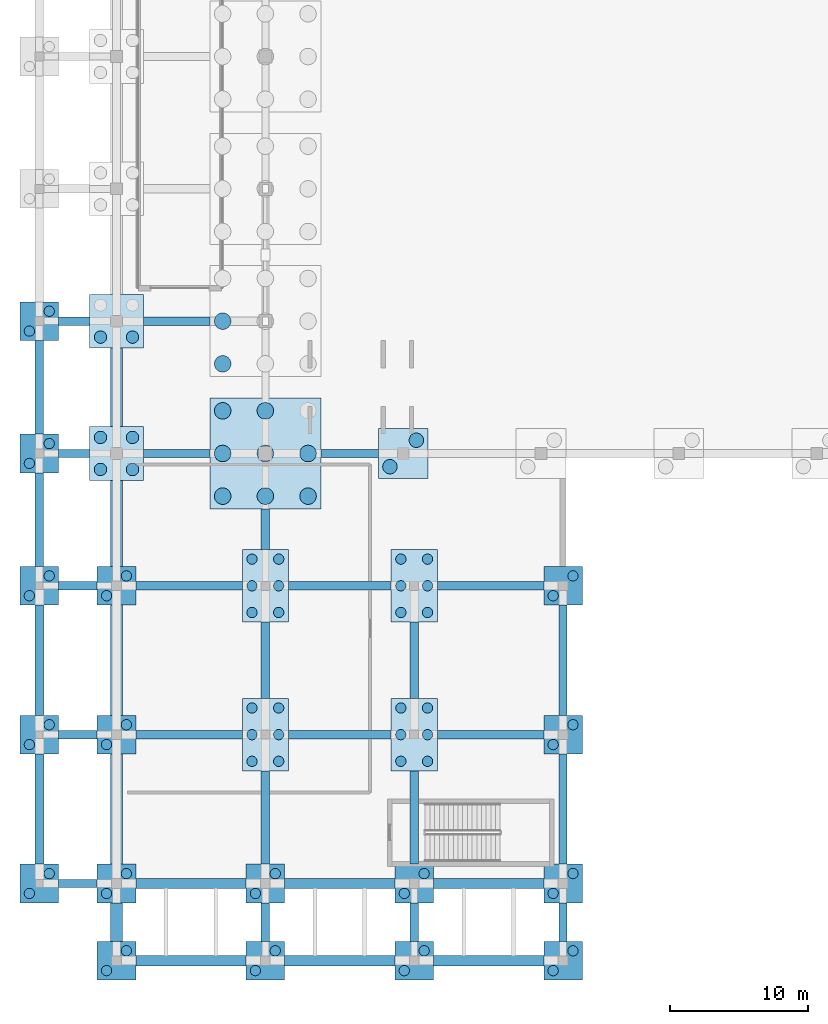
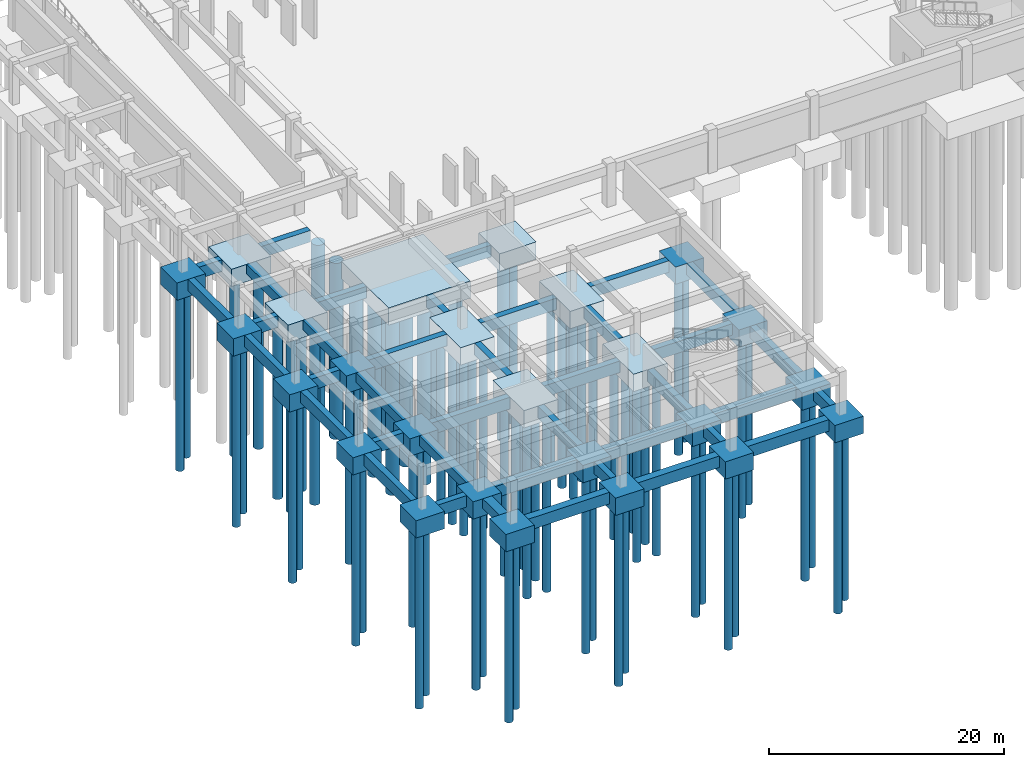
# One storey, part 1 of 33: 76 piles, 64 footings.
"""IFC4 building model written with IfcOpenShell, lengths in metres."""

import ifcopenshell
import ifcopenshell.guid

model = None  # the IFC model being written
_history = None  # IfcOwnerHistory: only IFC2X3 demands one
_inside = {}  # id of a spatial element -> (the spatial element, [elements in it])
_under = {}  # id of a project, library or spatial element -> (it, [spatial elements below it])
_declared = {}  # id of a project -> (the project, [libraries it declares])
_typed = {}  # id of a type object -> (the type object, [elements of that type])
_made_of = {}  # id of a material, layer set ... -> (it, [elements and type objects made of it])


def new_model(schema):
    """Start an empty IFC model of exactly this schema.

    Asked for "IFC4X3", IfcOpenShell would pick the latest addendum, in which some entities
    have other attributes; the version numbers below select the first issue.
    IFC2X3 requires an IfcOwnerHistory on every rooted entity: one is made here for all.
    """
    global model, _history
    if schema == "IFC4X3":
        model = ifcopenshell.file(schema_version=(4, 3, 0, 0))
    else:
        model = ifcopenshell.file(schema=schema)
    _inside.clear()
    _under.clear()
    _declared.clear()
    _typed.clear()
    _made_of.clear()
    _history = None
    if model.schema == "IFC2X3":
        org = make("IfcOrganization", Name="unknown")
        user = make(
            "IfcPersonAndOrganization",
            ThePerson=make("IfcPerson", FamilyName="unknown"),
            TheOrganization=org,
        )
        app = make(
            "IfcApplication",
            ApplicationDeveloper=org,
            Version="unknown",
            ApplicationFullName="unknown",
            ApplicationIdentifier="unknown",
        )
        _history = make(
            "IfcOwnerHistory",
            OwningUser=user,
            OwningApplication=app,
            ChangeAction="ADDED",
            CreationDate=0,
        )
    return model


def make(cls, **values):
    """One entity of the class cls with the attributes given. An attribute that is None is left unset."""
    return model.create_entity(
        cls, **{name: value for name, value in values.items() if value is not None}
    )


def rooted(cls, **values):
    """An entity with a GlobalId (a new one), such as an element, a storey or a relation."""
    return make(cls, GlobalId=ifcopenshell.guid.new(), OwnerHistory=_history, **values)


def si_unit(unit_type, name, prefix=None):
    """IfcSIUnit, for example si_unit("LENGTHUNIT", "METRE", prefix="MILLI")."""
    return make("IfcSIUnit", UnitType=unit_type, Prefix=prefix, Name=name)


def assignment(units):
    """IfcUnitAssignment: the units of a project."""
    return None if units is None else make("IfcUnitAssignment", Units=units)


def point(xyz):
    """IfcCartesianPoint."""
    return None if xyz is None else make("IfcCartesianPoint", Coordinates=xyz)


def direction(xyz):
    """IfcDirection."""
    return None if xyz is None else make("IfcDirection", DirectionRatios=xyz)


def frame(location, z_axis=None, x_axis=None):
    """IfcAxis2Placement3D, a coordinate frame: its origin and axes. An axis left out is left unset."""
    return make(
        "IfcAxis2Placement3D",
        Location=point(location),
        Axis=direction(z_axis),
        RefDirection=direction(x_axis),
    )


def frame_2d(location, x_axis=None):
    """IfcAxis2Placement2D, a coordinate frame in the plane: its origin and x axis."""
    return make(
        "IfcAxis2Placement2D", Location=point(location), RefDirection=direction(x_axis)
    )


def origin():
    """The frame at (0, 0, 0) with its axes left unset."""
    return frame((0.0, 0.0, 0.0))


def origin_2d():
    """The frame at (0, 0) in the plane with its x axis left unset."""
    return frame_2d((0.0, 0.0))


def place(relative_to, where):
    """IfcLocalPlacement: puts the frame where relative to a parent placement (None: the world)."""
    return make(
        "IfcLocalPlacement", PlacementRelTo=relative_to, RelativePlacement=where
    )


def context(
    kind, dimensions, precision=None, world=None, true_north=None, identifier=None
):
    """IfcGeometricRepresentationContext, for example the 3D "Model" context."""
    return make(
        "IfcGeometricRepresentationContext",
        ContextIdentifier=identifier,
        ContextType=kind,
        CoordinateSpaceDimension=dimensions,
        Precision=precision,
        WorldCoordinateSystem=world,
        TrueNorth=true_north,
    )


def subcontext(parent, identifier, kind, view, scale=None):
    """IfcGeometricRepresentationSubContext, for example "Body" below "Model"."""
    return make(
        "IfcGeometricRepresentationSubContext",
        ContextIdentifier=identifier,
        ContextType=kind,
        ParentContext=parent,
        TargetScale=scale,
        TargetView=view,
    )


def project(units=None, contexts=None):
    """IfcProject with its units and contexts."""
    return rooted(
        "IfcProject",
        Name="project",
        RepresentationContexts=contexts,
        UnitsInContext=assignment(units),
    )


def spatial(cls, under=None, at=None, **own):
    """A site, building, storey or space (cls), placed at a placement, below another one or the project."""
    s = rooted(cls, ObjectPlacement=at, **own)
    if under is not None:
        _under.setdefault(under.id(), (under, []))[1].append(s)
    return s


def profile(cls, at=None, kind="AREA", **sizes):
    """A parametric profile (cls). Its sizes go by their IFC names, for example OverallWidth=200.0."""
    return make(cls, ProfileType=kind, Position=at, **sizes)


def rectangle(**sizes):
    """IfcRectangleProfileDef."""
    return profile("IfcRectangleProfileDef", **sizes)


def circle(**sizes):
    """IfcCircleProfileDef."""
    return profile("IfcCircleProfileDef", **sizes)


def extrude(swept, where, along, depth):
    """IfcExtrudedAreaSolid: the profile swept, set in the frame where, extruded along a direction by depth."""
    return make(
        "IfcExtrudedAreaSolid",
        SweptArea=swept,
        Position=where,
        ExtrudedDirection=direction(along),
        Depth=depth,
    )


def shape(context_of_items, identifier, shape_type, items):
    """IfcShapeRepresentation: the items that make up one representation, for example the "Body"."""
    return make(
        "IfcShapeRepresentation",
        ContextOfItems=context_of_items,
        RepresentationIdentifier=identifier,
        RepresentationType=shape_type,
        Items=items,
    )


def material(Name=None, Category=None):
    """IfcMaterial."""
    return make("IfcMaterial", Name=Name, Category=Category)


def material_profile(
    of_material, cross_section, Name=None, Category=None, Priority=None
):
    """IfcMaterialProfile: a cross section and its material."""
    return make(
        "IfcMaterialProfile",
        Name=Name,
        Material=of_material,
        Profile=cross_section,
        Priority=Priority,
        Category=Category,
    )


def profile_set(profiles, Name=None, composite=None):
    """IfcMaterialProfileSet."""
    return make(
        "IfcMaterialProfileSet",
        Name=Name,
        MaterialProfiles=profiles,
        CompositeProfile=composite,
    )


def made_of(thing, what):
    """Note that an element or type object is made of a material, layer set ...; save() writes the relation."""
    if what is not None:
        _made_of.setdefault(what.id(), (what, []))[1].append(thing)
    return thing


def type_object(cls, material=None, **own):
    """A type object (cls), such as IfcWallType, which elements share."""
    return made_of(rooted(cls, **own), material)


def element(
    cls,
    number,
    at=None,
    inside=None,
    cuts=None,
    type_object=None,
    material=None,
    context=None,
    identifier="Body",
    shape_type=None,
    held_by="IfcProductDefinitionShape",
    body=None,
    shapes=None,
    **own,
):
    """One element of the class cls, such as IfcWall. Its Tag is "e" and its number.

    at: its placement. inside: the storey or other place that contains it. cuts: it is an
    opening in that element (IfcRelVoidsElement). A single representation is given by context,
    identifier, shape_type and body (its items); several are given by shapes. held_by: the class
    of the entity that holds the representations. save() writes the other relations.
    """
    e = rooted(cls, Tag="e%d" % number, ObjectPlacement=at, **own)
    if body is not None:
        shapes = [shape(context, identifier, shape_type, body)]
    if shapes is not None:
        e.Representation = make(held_by, Representations=shapes)
    if inside is not None:
        _inside.setdefault(inside.id(), (inside, []))[1].append(e)
    if cuts is not None:
        rooted(
            "IfcRelVoidsElement", RelatingBuildingElement=cuts, RelatedOpeningElement=e
        )
    if type_object is not None:
        _typed.setdefault(type_object.id(), (type_object, []))[1].append(e)
    return made_of(e, material)


def aggregate(whole, parts):
    """IfcRelAggregates: a whole, such as a stair, and the parts it consists of."""
    return rooted("IfcRelAggregates", RelatingObject=whole, RelatedObjects=parts)


def save(model, path):
    """Write the relations noted so far, then the file.

    IfcRelAggregates (storeys below a building ...), IfcRelContainedInSpatialStructure (elements
    in a storey), IfcRelDefinesByType, IfcRelAssociatesMaterial and IfcRelDeclares: one each for
    every whole, place, type object, material and project.
    """
    for whole, parts in _under.values():
        aggregate(whole, parts)
    for where, things in _inside.values():
        rooted(
            "IfcRelContainedInSpatialStructure",
            RelatedElements=things,
            RelatingStructure=where,
        )
    for kind, things in _typed.values():
        rooted("IfcRelDefinesByType", RelatedObjects=things, RelatingType=kind)
    for what, things in _made_of.values():
        rooted("IfcRelAssociatesMaterial", RelatedObjects=things, RelatingMaterial=what)
    for by, libraries in _declared.values():
        rooted("IfcRelDeclares", RelatingContext=by, RelatedDefinitions=libraries)
    model.write(path)


model = new_model("IFC4")

# Units and contexts
model_context = context("Model", 3, precision=1e-05, world=origin(), true_north=direction((0.0, 1.0)))
body_context = subcontext(model_context, "Body", "Model", "MODEL_VIEW")
ifc_project = project(units=[si_unit("LENGTHUNIT", "METRE"), si_unit("AREAUNIT", "SQUARE_METRE"), si_unit("VOLUMEUNIT", "CUBIC_METRE"), si_unit("PLANEANGLEUNIT", "RADIAN"), si_unit("MASSUNIT", "GRAM", prefix="KILO")], contexts=[model_context])

# Site, building, storey
site_placement = place(None, origin())
site = spatial("IfcSite", under=ifc_project, at=site_placement, CompositionType="ELEMENT")
building_placement = place(site_placement, origin())
building = spatial("IfcBuilding", under=site, at=building_placement, Name="Veldera Park Congress Hotel", CompositionType="ELEMENT")
storey_placement = place(building_placement, frame((0.0, 0.0, -4.5)))
storey = spatial("IfcBuildingStorey", under=building, at=storey_placement, Name="B1", CompositionType="ELEMENT", Elevation=-4.5)

# Footings
ifc_material = material(Name="Concrete f'c 40 MPa (5,800 psi)", Category="concrete")
footing_type_1 = type_object("IfcFootingType", Name="FB-600X1200", PredefinedType="FOOTING_BEAM", material=ifc_material)
for number, where, z_axis, x_axis, name in (
    (1, (-81.0, -52.199951171875, -1.2001953125), (0.0, 0.0, 1.0), (1.0, 0.0, 0.0), "Foundation Tie Beam FB-600X1200 4"),
    (2, (-81.0, -41.39990234375, -1.2001953125), (0.0, 0.0, 1.0), (1.0, 0.0, 0.0), "Foundation Tie Beam FB-600X1200 10"),
):
    element("IfcFooting", number, at=place(storey_placement, frame(where, z_axis=z_axis, x_axis=x_axis)), inside=storey, type_object=footing_type_1, Name=name, PredefinedType="FOOTING_BEAM", context=body_context, shape_type="SweptSolid", body=[
        extrude(rectangle(XDim=2.800048828125, YDim=0.60009765625, at=origin_2d()), origin(), (0.0, 0.0, 1.0), 1.199951171875),
    ])
footing_1_placement = place(storey_placement, frame((-72.9375, -41.39990234375, -1.2001953125), z_axis=(0.0, 0.0, 1.0), x_axis=(1.0, 0.0, 0.0)))
element("IfcFooting", 3, at=footing_1_placement, inside=storey, type_object=footing_type_1, Name="Foundation Tie Beam FB-600X1200 11", PredefinedType="FOOTING_BEAM", context=body_context, shape_type="SweptSolid", body=[
    extrude(rectangle(XDim=7.72509765625, YDim=0.60009765625, at=origin_2d()), origin(), (0.0, 0.0, 1.0), 1.199951171875),
])
footing_2_placement = place(storey_placement, frame((-62.0, -41.39990234375, -1.2001953125), z_axis=(0.0, 0.0, 1.0), x_axis=(1.0, 0.0, 0.0)))
element("IfcFooting", 4, at=footing_2_placement, inside=storey, type_object=footing_type_1, Name="Foundation Tie Beam FB-600X1200 12", PredefinedType="FOOTING_BEAM", context=body_context, shape_type="SweptSolid", body=[
    extrude(rectangle(XDim=7.449951171875, YDim=0.60009765625, at=origin_2d()), origin(), (0.0, 0.0, 1.0), 1.199951171875),
])
footing_3_placement = place(storey_placement, frame((-51.0625, -41.39990234375, -1.2001953125), z_axis=(0.0, 0.0, 1.0), x_axis=(1.0, 0.0, 0.0)))
element("IfcFooting", 5, at=footing_3_placement, inside=storey, type_object=footing_type_1, Name="Foundation Tie Beam FB-600X1200 13", PredefinedType="FOOTING_BEAM", context=body_context, shape_type="SweptSolid", body=[
    extrude(rectangle(XDim=7.72509765625, YDim=0.60009765625, at=origin_2d()), origin(), (0.0, 0.0, 1.0), 1.199951171875),
])
footing_4_placement = place(storey_placement, frame((-81.0, -30.60009765625, -1.2001953125), z_axis=(0.0, 0.0, 1.0), x_axis=(1.0, 0.0, 0.0)))
element("IfcFooting", 6, at=footing_4_placement, inside=storey, type_object=footing_type_1, Name="Foundation Tie Beam FB-600X1200 16", PredefinedType="FOOTING_BEAM", context=body_context, shape_type="SweptSolid", body=[
    extrude(rectangle(XDim=2.800048828125, YDim=0.60009765625, at=origin_2d()), origin(), (0.0, 0.0, 1.0), 1.199951171875),
])
footing_5_placement = place(storey_placement, frame((-72.9375, -30.60009765625, -1.2001953125), z_axis=(0.0, 0.0, 1.0), x_axis=(1.0, 0.0, 0.0)))
element("IfcFooting", 7, at=footing_5_placement, inside=storey, type_object=footing_type_1, Name="Foundation Tie Beam FB-600X1200 17", PredefinedType="FOOTING_BEAM", context=body_context, shape_type="SweptSolid", body=[
    extrude(rectangle(XDim=7.72509765625, YDim=0.60009765625, at=origin_2d()), origin(), (0.0, 0.0, 1.0), 1.199951171875),
])
footing_6_placement = place(storey_placement, frame((-62.0, -30.60009765625, -1.2001953125), z_axis=(0.0, 0.0, 1.0), x_axis=(1.0, 0.0, 0.0)))
element("IfcFooting", 8, at=footing_6_placement, inside=storey, type_object=footing_type_1, Name="Foundation Tie Beam FB-600X1200 18", PredefinedType="FOOTING_BEAM", context=body_context, shape_type="SweptSolid", body=[
    extrude(rectangle(XDim=7.449951171875, YDim=0.60009765625, at=origin_2d()), origin(), (0.0, 0.0, 1.0), 1.199951171875),
])
footing_7_placement = place(storey_placement, frame((-51.0625, -30.60009765625, -1.2001953125), z_axis=(0.0, 0.0, 1.0), x_axis=(1.0, 0.0, 0.0)))
element("IfcFooting", 9, at=footing_7_placement, inside=storey, type_object=footing_type_1, Name="Foundation Tie Beam FB-600X1200 19", PredefinedType="FOOTING_BEAM", context=body_context, shape_type="SweptSolid", body=[
    extrude(rectangle(XDim=7.72509765625, YDim=0.60009765625, at=origin_2d()), origin(), (0.0, 0.0, 1.0), 1.199951171875),
])
footing_8_placement = place(storey_placement, frame((-81.27490234375, -21.0, -1.2001953125), z_axis=(0.0, 0.0, 1.0), x_axis=(1.0, 0.0, 0.0)))
element("IfcFooting", 10, at=footing_8_placement, inside=storey, type_object=footing_type_1, Name="Foundation Tie Beam FB-600X1200 22", PredefinedType="FOOTING_BEAM", context=body_context, shape_type="SweptSolid", body=[
    extrude(rectangle(XDim=2.25, YDim=0.60009765625, at=origin_2d()), origin(), (0.0, 0.0, 1.0), 1.199951171875),
])
footing_9_placement = place(storey_placement, frame((-73.83740234375, -21.0, -1.2001953125), z_axis=(0.0, 0.0, 1.0), x_axis=(1.0, 0.0, 0.0)))
element("IfcFooting", 11, at=footing_9_placement, inside=storey, type_object=footing_type_1, Name="Foundation Tie Beam FB-600X1200 23", PredefinedType="FOOTING_BEAM", context=body_context, shape_type="SweptSolid", body=[
    extrude(rectangle(XDim=4.824951171875, YDim=0.60009765625, at=origin_2d()), origin(), (0.0, 0.0, 1.0), 1.199951171875),
])
footing_10_placement = place(storey_placement, frame((-61.28759765625, -21.0, -1.2001953125), z_axis=(0.0, 0.0, 1.0), x_axis=(1.0, 0.0, 0.0)))
element("IfcFooting", 12, at=footing_10_placement, inside=storey, type_object=footing_type_1, Name="Foundation Tie Beam FB-600X1200 24", PredefinedType="FOOTING_BEAM", context=body_context, shape_type="SweptSolid", body=[
    extrude(rectangle(XDim=4.175048828125, YDim=0.60009765625, at=origin_2d()), origin(), (0.0, 0.0, 1.0), 1.199951171875),
])
footing_11_placement = place(storey_placement, frame((-81.27490234375, -11.39990234375, -1.2001953125), z_axis=(0.0, 0.0, 1.0), x_axis=(1.0, 0.0, 0.0)))
element("IfcFooting", 13, at=footing_11_placement, inside=storey, type_object=footing_type_1, Name="Foundation Tie Beam FB-600X1200 30", PredefinedType="FOOTING_BEAM", context=body_context, shape_type="SweptSolid", body=[
    extrude(rectangle(XDim=2.25, YDim=0.60009765625, at=origin_2d()), origin(), (0.0, 0.0, 1.0), 1.199951171875),
])
footing_12_placement = place(storey_placement, frame((-73.83740234375, -11.39990234375, -1.2001953125), z_axis=(0.0, 0.0, 1.0), x_axis=(1.0, 0.0, 0.0)))
element("IfcFooting", 14, at=footing_12_placement, inside=storey, type_object=footing_type_1, Name="Foundation Tie Beam FB-600X1200 31", PredefinedType="FOOTING_BEAM", context=body_context, shape_type="SweptSolid", body=[
    extrude(rectangle(XDim=4.824951171875, YDim=0.60009765625, at=origin_2d()), origin(), (0.0, 0.0, 1.0), 1.199951171875),
])
for number, where, z_axis, x_axis, name in (
    (15, (-83.800048828125, -46.800048828125, -1.2001953125), (0.0, 0.0, 1.0), (0.0, 1.0, 0.0), "Foundation Tie Beam FB-600X1200 90"),
    (16, (-83.800048828125, -36.0, -1.2001953125), (0.0, 0.0, 1.0), (0.0, 1.0, 0.0), "Foundation Tie Beam FB-600X1200 91"),
):
    element("IfcFooting", number, at=place(storey_placement, frame(where, z_axis=z_axis, x_axis=x_axis)), inside=storey, type_object=footing_type_1, Name=name, PredefinedType="FOOTING_BEAM", context=body_context, shape_type="SweptSolid", body=[
        extrude(rectangle(XDim=8.0, YDim=0.60009765625, at=origin_2d()), origin(), (0.0, 0.0, 1.0), 1.199951171875),
    ])
for number, where, z_axis, x_axis, name in (
    (17, (-83.800048828125, -25.800048828125, -1.2001953125), (0.0, 0.0, 1.0), (0.0, 1.0, 0.0), "Foundation Tie Beam FB-600X1200 92"),
    (18, (-83.800048828125, -16.199951171875, -1.2001953125), (0.0, 0.0, 1.0), (0.0, 1.0, 0.0), "Foundation Tie Beam FB-600X1200 93"),
):
    element("IfcFooting", number, at=place(storey_placement, frame(where, z_axis=z_axis, x_axis=x_axis)), inside=storey, type_object=footing_type_1, Name=name, PredefinedType="FOOTING_BEAM", context=body_context, shape_type="SweptSolid", body=[
        extrude(rectangle(XDim=6.800048828125, YDim=0.60009765625, at=origin_2d()), origin(), (0.0, 0.0, 1.0), 1.199951171875),
    ])
footing_13_placement = place(storey_placement, frame((-67.39990234375, -55.0, -1.2001953125), z_axis=(0.0, 0.0, 1.0), x_axis=(0.0, 1.0, 0.0)))
element("IfcFooting", 19, at=footing_13_placement, inside=storey, type_object=footing_type_1, Name="Foundation Tie Beam FB-600X1200 98", PredefinedType="FOOTING_BEAM", context=body_context, shape_type="SweptSolid", body=[
    extrude(rectangle(XDim=2.800048828125, YDim=0.60009765625, at=origin_2d()), origin(), (0.0, 0.0, 1.0), 1.199951171875),
])
footing_14_placement = place(storey_placement, frame((-67.39990234375, -47.41259765625, -1.2001953125), z_axis=(0.0, 0.0, 1.0), x_axis=(0.0, 1.0, 0.0)))
element("IfcFooting", 20, at=footing_14_placement, inside=storey, type_object=footing_type_1, Name="Foundation Tie Beam FB-600X1200 99", PredefinedType="FOOTING_BEAM", context=body_context, shape_type="SweptSolid", body=[
    extrude(rectangle(XDim=6.77490234375, YDim=0.60009765625, at=origin_2d()), origin(), (0.0, 0.0, 1.0), 1.199951171875),
])
footing_15_placement = place(storey_placement, frame((-67.39990234375, -36.0, -1.2001953125), z_axis=(0.0, 0.0, 1.0), x_axis=(0.0, 1.0, 0.0)))
element("IfcFooting", 21, at=footing_15_placement, inside=storey, type_object=footing_type_1, Name="Foundation Tie Beam FB-600X1200 100", PredefinedType="FOOTING_BEAM", context=body_context, shape_type="SweptSolid", body=[
    extrude(rectangle(XDim=5.550048828125, YDim=0.60009765625, at=origin_2d()), origin(), (0.0, 0.0, 1.0), 1.199951171875),
])
footing_16_placement = place(storey_placement, frame((-67.39990234375, -26.5, -1.2001953125), z_axis=(0.0, 0.0, 1.0), x_axis=(0.0, 1.0, 0.0)))
element("IfcFooting", 22, at=footing_16_placement, inside=storey, type_object=footing_type_1, Name="Foundation Tie Beam FB-600X1200 101", PredefinedType="FOOTING_BEAM", context=body_context, shape_type="SweptSolid", body=[
    extrude(rectangle(XDim=2.949951171875, YDim=0.60009765625, at=origin_2d()), origin(), (0.0, 0.0, 1.0), 1.199951171875),
])
footing_17_placement = place(storey_placement, frame((-56.60009765625, -55.0, -1.2001953125), z_axis=(0.0, 0.0, 1.0), x_axis=(0.0, 1.0, 0.0)))
element("IfcFooting", 23, at=footing_17_placement, inside=storey, type_object=footing_type_1, Name="Foundation Tie Beam FB-600X1200 102", PredefinedType="FOOTING_BEAM", context=body_context, shape_type="SweptSolid", body=[
    extrude(rectangle(XDim=2.800048828125, YDim=0.60009765625, at=origin_2d()), origin(), (0.0, 0.0, 1.0), 1.199951171875),
])
footing_18_placement = place(storey_placement, frame((-56.60009765625, -47.41259765625, -1.2001953125), z_axis=(0.0, 0.0, 1.0), x_axis=(0.0, 1.0, 0.0)))
element("IfcFooting", 24, at=footing_18_placement, inside=storey, type_object=footing_type_1, Name="Foundation Tie Beam FB-600X1200 103", PredefinedType="FOOTING_BEAM", context=body_context, shape_type="SweptSolid", body=[
    extrude(rectangle(XDim=6.77490234375, YDim=0.60009765625, at=origin_2d()), origin(), (0.0, 0.0, 1.0), 1.199951171875),
])
footing_19_placement = place(storey_placement, frame((-56.60009765625, -36.0, -1.2001953125), z_axis=(0.0, 0.0, 1.0), x_axis=(0.0, 1.0, 0.0)))
element("IfcFooting", 25, at=footing_19_placement, inside=storey, type_object=footing_type_1, Name="Foundation Tie Beam FB-600X1200 104", PredefinedType="FOOTING_BEAM", context=body_context, shape_type="SweptSolid", body=[
    extrude(rectangle(XDim=5.550048828125, YDim=0.60009765625, at=origin_2d()), origin(), (0.0, 0.0, 1.0), 1.199951171875),
])
footing_20_placement = place(storey_placement, frame((-45.800048828125, -55.0, -1.2001953125), z_axis=(0.0, 0.0, 1.0), x_axis=(0.0, 1.0, 0.0)))
element("IfcFooting", 26, at=footing_20_placement, inside=storey, type_object=footing_type_1, Name="Foundation Tie Beam FB-600X1200 108", PredefinedType="FOOTING_BEAM", context=body_context, shape_type="SweptSolid", body=[
    extrude(rectangle(XDim=2.800048828125, YDim=0.60009765625, at=origin_2d()), origin(), (0.0, 0.0, 1.0), 1.199951171875),
])
for number, where, z_axis, x_axis, name in (
    (27, (-45.800048828125, -46.800048828125, -1.2001953125), (0.0, 0.0, 1.0), (0.0, 1.0, 0.0), "Foundation Tie Beam FB-600X1200 109"),
    (28, (-45.800048828125, -36.0, -1.2001953125), (0.0, 0.0, 1.0), (0.0, 1.0, 0.0), "Foundation Tie Beam FB-600X1200 110"),
):
    element("IfcFooting", number, at=place(storey_placement, frame(where, z_axis=z_axis, x_axis=x_axis)), inside=storey, type_object=footing_type_1, Name=name, PredefinedType="FOOTING_BEAM", context=body_context, shape_type="SweptSolid", body=[
        extrude(rectangle(XDim=8.0, YDim=0.60009765625, at=origin_2d()), origin(), (0.0, 0.0, 1.0), 1.199951171875),
    ])
footing_type_2 = type_object("IfcFootingType", Name="FB-750X1200", PredefinedType="FOOTING_BEAM", material=ifc_material)
for number, where, z_axis, x_axis, name in (
    (29, (-72.800048828125, -57.800048828125, -1.2001953125), (0.0, 0.0, 1.0), (1.0, 0.0, 0.0), "Foundation Tie Beam FB-750X1200 1"),
    (30, (-62.0, -57.800048828125, -1.2001953125), (0.0, 0.0, 1.0), (1.0, 0.0, 0.0), "Foundation Tie Beam FB-750X1200 2"),
    (31, (-51.199951171875, -57.800048828125, -1.2001953125), (0.0, 0.0, 1.0), (1.0, 0.0, 0.0), "Foundation Tie Beam FB-750X1200 3"),
    (32, (-72.800048828125, -52.199951171875, -1.2001953125), (0.0, 0.0, 1.0), (1.0, 0.0, 0.0), "Foundation Tie Beam FB-750X1200 5"),
    (33, (-62.0, -52.199951171875, -1.2001953125), (0.0, 0.0, 1.0), (1.0, 0.0, 0.0), "Foundation Tie Beam FB-750X1200 6"),
    (34, (-51.199951171875, -52.199951171875, -1.2001953125), (0.0, 0.0, 1.0), (1.0, 0.0, 0.0), "Foundation Tie Beam FB-750X1200 7"),
):
    element("IfcFooting", number, at=place(storey_placement, frame(where, z_axis=z_axis, x_axis=x_axis)), inside=storey, type_object=footing_type_2, Name=name, PredefinedType="FOOTING_BEAM", context=body_context, shape_type="SweptSolid", body=[
        extrude(rectangle(XDim=8.0, YDim=0.75, at=origin_2d()), origin(), (0.0, 0.0, 1.0), 1.199951171875),
    ])
footing_type_3 = type_object("IfcFootingType", Name="PC-280", PredefinedType="PILE_CAP", material=ifc_material)
for number, where, z_axis, x_axis, name in (
    (35, (-83.800048828125, -52.199951171875, -1.7998046875), (0.0, 0.0, 1.0), (1.0, 0.0, 0.0), "Pile Cap PC-280 at (-83.8, -52.2)"),
    (36, (-83.800048828125, -41.39990234375, -1.7998046875), (0.0, 0.0, 1.0), (1.0, 0.0, 0.0), "Pile Cap PC-280 at (-83.8, -41.4)"),
    (37, (-83.800048828125, -30.60009765625, -1.7998046875), (0.0, 0.0, 1.0), (1.0, 0.0, 0.0), "Pile Cap PC-280 at (-83.8, -30.6)"),
    (38, (-83.800048828125, -21.0, -1.7998046875), (0.0, 0.0, 1.0), (1.0, 0.0, 0.0), "Pile Cap PC-280 at (-83.8, -21.0)"),
    (39, (-83.800048828125, -11.39990234375, -1.7998046875), (0.0, 0.0, 1.0), (1.0, 0.0, 0.0), "Pile Cap PC-280 at (-83.8, -11.4)"),
    (40, (-78.199951171875, -57.800048828125, -1.7998046875), (0.0, 0.0, 1.0), (1.0, 0.0, 0.0), "Pile Cap PC-280 at (-78.2, -57.8)"),
    (41, (-78.199951171875, -52.199951171875, -1.7998046875), (0.0, 0.0, 1.0), (1.0, 0.0, 0.0), "Pile Cap PC-280 at (-78.2, -52.2)"),
    (42, (-78.199951171875, -41.39990234375, -1.7998046875), (0.0, 0.0, 1.0), (1.0, 0.0, 0.0), "Pile Cap PC-280 at (-78.2, -41.4)"),
    (43, (-78.199951171875, -30.60009765625, -1.7998046875), (0.0, 0.0, 1.0), (1.0, 0.0, 0.0), "Pile Cap PC-280 at (-78.2, -30.6)"),
    (44, (-67.39990234375, -57.800048828125, -1.7998046875), (0.0, 0.0, 1.0), (1.0, 0.0, 0.0), "Pile Cap PC-280 at (-67.4, -57.8)"),
    (45, (-67.39990234375, -52.199951171875, -1.7998046875), (0.0, 0.0, 1.0), (1.0, 0.0, 0.0), "Pile Cap PC-280 at (-67.4, -52.2)"),
    (46, (-56.60009765625, -57.800048828125, -1.7998046875), (0.0, 0.0, 1.0), (1.0, 0.0, 0.0), "Pile Cap PC-280 at (-56.6, -57.8)"),
    (47, (-56.60009765625, -52.199951171875, -1.7998046875), (0.0, 0.0, 1.0), (1.0, 0.0, 0.0), "Pile Cap PC-280 at (-56.6, -52.2)"),
    (48, (-45.800048828125, -57.800048828125, -1.7998046875), (0.0, 0.0, 1.0), (1.0, 0.0, 0.0), "Pile Cap PC-280 at (-45.8, -57.8)"),
    (49, (-45.800048828125, -52.199951171875, -1.7998046875), (0.0, 0.0, 1.0), (1.0, 0.0, 0.0), "Pile Cap PC-280 at (-45.8, -52.2)"),
    (50, (-45.800048828125, -41.39990234375, -1.7998046875), (0.0, 0.0, 1.0), (1.0, 0.0, 0.0), "Pile Cap PC-280 at (-45.8, -41.4)"),
    (51, (-45.800048828125, -30.60009765625, -1.7998046875), (0.0, 0.0, 1.0), (1.0, 0.0, 0.0), "Pile Cap PC-280 at (-45.8, -30.6)"),
):
    element("IfcFooting", number, at=place(storey_placement, frame(where, z_axis=z_axis, x_axis=x_axis)), inside=storey, type_object=footing_type_3, Name=name, PredefinedType="PILE_CAP", context=body_context, shape_type="SweptSolid", body=[
        extrude(rectangle(XDim=2.800048828125, YDim=2.800048828125, at=origin_2d()), origin(), (0.0, 0.0, 1.0), 1.800048828125),
    ])
footing_type_4 = type_object("IfcFootingType", Name="PC-335X525", PredefinedType="PILE_CAP", material=ifc_material)
for number, where, z_axis, x_axis, name in (
    (52, (-67.39990234375, -41.39990234375, -1.7998046875), (0.0, 0.0, 1.0), (1.0, 0.0, 0.0), "Pile Cap PC-335X525 at (-67.4, -41.4)"),
    (53, (-67.39990234375, -30.60009765625, -1.7998046875), (0.0, 0.0, 1.0), (1.0, 0.0, 0.0), "Pile Cap PC-335X525 at (-67.4, -30.6)"),
    (54, (-56.60009765625, -41.39990234375, -1.7998046875), (0.0, 0.0, 1.0), (1.0, 0.0, 0.0), "Pile Cap PC-335X525 at (-56.6, -41.4)"),
    (55, (-56.60009765625, -30.60009765625, -1.7998046875), (0.0, 0.0, 1.0), (1.0, 0.0, 0.0), "Pile Cap PC-335X525 at (-56.6, -30.6)"),
):
    element("IfcFooting", number, at=place(storey_placement, frame(where, z_axis=z_axis, x_axis=x_axis)), inside=storey, type_object=footing_type_4, Name=name, PredefinedType="PILE_CAP", context=body_context, shape_type="SweptSolid", body=[
        extrude(rectangle(XDim=3.35009765625, YDim=5.25, at=origin_2d()), origin(), (0.0, 0.0, 1.0), 1.800048828125),
    ])
footing_type_5 = type_object("IfcFootingType", Name="PC-360", PredefinedType="PILE_CAP", material=ifc_material)
footing_21_placement = place(storey_placement, frame((-57.39990234375, -21.0, -1.7998046875), z_axis=(0.0, 0.0, 1.0), x_axis=(1.0, 0.0, 0.0)))
element("IfcFooting", 56, at=footing_21_placement, inside=storey, type_object=footing_type_5, Name="Pile Cap PC-360 at (-57.4, -21.0)", PredefinedType="PILE_CAP", context=body_context, shape_type="SweptSolid", body=[
    extrude(rectangle(XDim=3.60009765625, YDim=3.60009765625, at=origin_2d()), origin(), (0.0, 0.0, 1.0), 1.800048828125),
])
footing_type_6 = type_object("IfcFootingType", Name="PC-390", PredefinedType="PILE_CAP", material=ifc_material)
for number, where, z_axis, x_axis, name in (
    (57, (-78.199951171875, -21.0, -1.7998046875), (0.0, 0.0, 1.0), (1.0, 0.0, 0.0), "Pile Cap PC-390 at (-78.2, -21.0)"),
    (58, (-78.199951171875, -11.39990234375, -1.7998046875), (0.0, 0.0, 1.0), (1.0, 0.0, 0.0), "Pile Cap PC-390 at (-78.2, -11.4)"),
):
    element("IfcFooting", number, at=place(storey_placement, frame(where, z_axis=z_axis, x_axis=x_axis)), inside=storey, type_object=footing_type_6, Name=name, PredefinedType="PILE_CAP", context=body_context, shape_type="SweptSolid", body=[
        extrude(rectangle(XDim=3.89990234375, YDim=3.89990234375, at=origin_2d()), origin(), (0.0, 0.0, 1.0), 1.800048828125),
    ])
footing_type_7 = type_object("IfcFootingType", Name="PC-805", PredefinedType="PILE_CAP", material=ifc_material)
footing_22_placement = place(storey_placement, frame((-67.39990234375, -21.0, -1.7998046875), z_axis=(0.0, 0.0, 1.0), x_axis=(1.0, 0.0, 0.0)))
element("IfcFooting", 59, at=footing_22_placement, inside=storey, type_object=footing_type_7, Name="Pile Cap PC-805 at (-67.4, -21.0)", PredefinedType="PILE_CAP", context=body_context, shape_type="SweptSolid", body=[
    extrude(rectangle(XDim=8.050048828125, YDim=8.050048828125, at=origin_2d()), origin(), (0.0, 0.0, 1.0), 1.800048828125),
])

# Piles
ifc_material_profile_1 = material_profile(ifc_material, circle(Radius=0.52490234375, at=origin_2d()), Name="PILE D1050")
ifc_profile_set_1 = profile_set([ifc_material_profile_1], Name="Concrete f'c 40 MPa (5,800 psi)")
pile_type_1 = type_object("IfcPileType", Name="PIL-1050", PredefinedType="BORED", material=ifc_profile_set_1)
for number, where, z_axis, x_axis, name in (
    (60, (-58.360107421875, -21.9599609375, -1.64990234375), (0.0, 0.0, -1.0), (1.0, 0.0, 0.0), "Bored Pile PIL-1050 121"),
    (61, (-56.43994140625, -20.0400390625, -1.64990234375), (0.0, 0.0, -1.0), (1.0, 0.0, 0.0), "Bored Pile PIL-1050 122"),
):
    element("IfcPile", number, at=place(storey_placement, frame(where, z_axis=z_axis, x_axis=x_axis)), inside=storey, type_object=pile_type_1, Name=name, PredefinedType="BORED", context=body_context, shape_type="SweptSolid", body=[
        extrude(circle(Radius=0.52490234375, at=origin_2d()), origin(), (0.0, 0.0, 1.0), 18.35009765625),
    ])
ifc_material_profile_2 = material_profile(ifc_material, circle(Radius=0.60009765625, at=origin_2d()), Name="PILE D1200")
ifc_profile_set_2 = profile_set([ifc_material_profile_2], Name="Concrete f'c 40 MPa (5,800 psi)")
pile_type_2 = type_object("IfcPileType", Name="PIL-1200", PredefinedType="BORED", material=ifc_profile_set_2)
for number, where, z_axis, x_axis, name in (
    (62, (-70.49609375, -24.095947265625, -1.64990234375), (0.0, 0.0, -1.0), (1.0, 0.0, 0.0), "Bored Pile PIL-1200 67"),
    (63, (-70.49609375, -21.0, -1.64990234375), (0.0, 0.0, -1.0), (1.0, 0.0, 0.0), "Bored Pile PIL-1200 68"),
    (64, (-70.49609375, -17.904052734375, -1.64990234375), (0.0, 0.0, -1.0), (1.0, 0.0, 0.0), "Bored Pile PIL-1200 69"),
    (65, (-67.39990234375, -24.095947265625, -1.64990234375), (0.0, 0.0, -1.0), (1.0, 0.0, 0.0), "Bored Pile PIL-1200 70"),
    (66, (-67.39990234375, -21.0, -1.64990234375), (0.0, 0.0, -1.0), (1.0, 0.0, 0.0), "Bored Pile PIL-1200 71"),
    (67, (-67.39990234375, -17.904052734375, -1.64990234375), (0.0, 0.0, -1.0), (1.0, 0.0, 0.0), "Bored Pile PIL-1200 72"),
    (68, (-64.303955078125, -24.095947265625, -1.64990234375), (0.0, 0.0, -1.0), (1.0, 0.0, 0.0), "Bored Pile PIL-1200 73"),
    (69, (-64.303955078125, -21.0, -1.64990234375), (0.0, 0.0, -1.0), (1.0, 0.0, 0.0), "Bored Pile PIL-1200 74"),
    (70, (-70.49609375, -14.49609375, -1.64990234375), (0.0, 0.0, -1.0), (1.0, 0.0, 0.0), "Bored Pile PIL-1200 76"),
    (71, (-70.49609375, -11.39990234375, -1.64990234375), (0.0, 0.0, -1.0), (1.0, 0.0, 0.0), "Bored Pile PIL-1200 77"),
):
    element("IfcPile", number, at=place(storey_placement, frame(where, z_axis=z_axis, x_axis=x_axis)), inside=storey, type_object=pile_type_2, Name=name, PredefinedType="BORED", context=body_context, shape_type="SweptSolid", body=[
        extrude(circle(Radius=0.60009765625, at=origin_2d()), origin(), (0.0, 0.0, 1.0), 18.35009765625),
    ])
ifc_material_profile_3 = material_profile(ifc_material, circle(Radius=0.375, at=origin_2d()), Name="PILE D750")
ifc_profile_set_3 = profile_set([ifc_material_profile_3], Name="Concrete f'c 40 MPa (5,800 psi)")
pile_type_3 = type_object("IfcPileType", Name="PIL-750", PredefinedType="BORED", material=ifc_profile_set_3)
for number, where, z_axis, x_axis, name in (
    (72, (-84.52001953125, -52.919921875, -1.64990234375), (0.0, 0.0, -1.0), (1.0, 0.0, 0.0), "Bored Pile PIL-750 1"),
    (73, (-83.080078125, -51.47998046875, -1.64990234375), (0.0, 0.0, -1.0), (1.0, 0.0, 0.0), "Bored Pile PIL-750 2"),
    (74, (-84.52001953125, -42.1201171875, -1.64990234375), (0.0, 0.0, -1.0), (1.0, 0.0, 0.0), "Bored Pile PIL-750 3"),
    (75, (-83.080078125, -40.679931640625, -1.64990234375), (0.0, 0.0, -1.0), (1.0, 0.0, 0.0), "Bored Pile PIL-750 4"),
    (76, (-84.52001953125, -31.320068359375, -1.64990234375), (0.0, 0.0, -1.0), (1.0, 0.0, 0.0), "Bored Pile PIL-750 5"),
    (77, (-83.080078125, -29.8798828125, -1.64990234375), (0.0, 0.0, -1.0), (1.0, 0.0, 0.0), "Bored Pile PIL-750 6"),
    (78, (-84.52001953125, -21.719970703125, -1.64990234375), (0.0, 0.0, -1.0), (1.0, 0.0, 0.0), "Bored Pile PIL-750 7"),
    (79, (-83.080078125, -20.280029296875, -1.64990234375), (0.0, 0.0, -1.0), (1.0, 0.0, 0.0), "Bored Pile PIL-750 8"),
    (80, (-84.52001953125, -12.1201171875, -1.64990234375), (0.0, 0.0, -1.0), (1.0, 0.0, 0.0), "Bored Pile PIL-750 9"),
    (81, (-83.080078125, -10.679931640625, -1.64990234375), (0.0, 0.0, -1.0), (1.0, 0.0, 0.0), "Bored Pile PIL-750 10"),
    (82, (-78.919921875, -58.52001953125, -1.64990234375), (0.0, 0.0, -1.0), (1.0, 0.0, 0.0), "Bored Pile PIL-750 23"),
    (83, (-77.47998046875, -57.080078125, -1.64990234375), (0.0, 0.0, -1.0), (1.0, 0.0, 0.0), "Bored Pile PIL-750 24"),
    (84, (-78.919921875, -52.919921875, -1.64990234375), (0.0, 0.0, -1.0), (1.0, 0.0, 0.0), "Bored Pile PIL-750 25"),
    (85, (-77.47998046875, -51.47998046875, -1.64990234375), (0.0, 0.0, -1.0), (1.0, 0.0, 0.0), "Bored Pile PIL-750 26"),
    (86, (-78.919921875, -42.1201171875, -1.64990234375), (0.0, 0.0, -1.0), (1.0, 0.0, 0.0), "Bored Pile PIL-750 27"),
    (87, (-77.47998046875, -40.679931640625, -1.64990234375), (0.0, 0.0, -1.0), (1.0, 0.0, 0.0), "Bored Pile PIL-750 28"),
    (88, (-78.919921875, -31.320068359375, -1.64990234375), (0.0, 0.0, -1.0), (1.0, 0.0, 0.0), "Bored Pile PIL-750 29"),
    (89, (-77.47998046875, -29.8798828125, -1.64990234375), (0.0, 0.0, -1.0), (1.0, 0.0, 0.0), "Bored Pile PIL-750 30"),
    (90, (-68.1201171875, -58.52001953125, -1.64990234375), (0.0, 0.0, -1.0), (1.0, 0.0, 0.0), "Bored Pile PIL-750 51"),
    (91, (-66.679931640625, -57.080078125, -1.64990234375), (0.0, 0.0, -1.0), (1.0, 0.0, 0.0), "Bored Pile PIL-750 52"),
    (92, (-68.1201171875, -52.919921875, -1.64990234375), (0.0, 0.0, -1.0), (1.0, 0.0, 0.0), "Bored Pile PIL-750 53"),
    (93, (-66.679931640625, -51.47998046875, -1.64990234375), (0.0, 0.0, -1.0), (1.0, 0.0, 0.0), "Bored Pile PIL-750 54"),
    (94, (-68.367431640625, -43.3349609375, -1.64990234375), (0.0, 0.0, -1.0), (1.0, 0.0, 0.0), "Bored Pile PIL-750 55"),
    (95, (-66.4326171875, -43.3349609375, -1.64990234375), (0.0, 0.0, -1.0), (1.0, 0.0, 0.0), "Bored Pile PIL-750 56"),
    (96, (-68.367431640625, -41.39990234375, -1.64990234375), (0.0, 0.0, -1.0), (1.0, 0.0, 0.0), "Bored Pile PIL-750 57"),
    (97, (-66.4326171875, -41.39990234375, -1.64990234375), (0.0, 0.0, -1.0), (1.0, 0.0, 0.0), "Bored Pile PIL-750 58"),
    (98, (-68.367431640625, -39.465087890625, -1.64990234375), (0.0, 0.0, -1.0), (1.0, 0.0, 0.0), "Bored Pile PIL-750 59"),
    (99, (-66.4326171875, -39.465087890625, -1.64990234375), (0.0, 0.0, -1.0), (1.0, 0.0, 0.0), "Bored Pile PIL-750 60"),
    (100, (-68.367431640625, -32.534912109375, -1.64990234375), (0.0, 0.0, -1.0), (1.0, 0.0, 0.0), "Bored Pile PIL-750 61"),
    (101, (-66.4326171875, -32.534912109375, -1.64990234375), (0.0, 0.0, -1.0), (1.0, 0.0, 0.0), "Bored Pile PIL-750 62"),
    (102, (-68.367431640625, -30.60009765625, -1.64990234375), (0.0, 0.0, -1.0), (1.0, 0.0, 0.0), "Bored Pile PIL-750 63"),
    (103, (-66.4326171875, -30.60009765625, -1.64990234375), (0.0, 0.0, -1.0), (1.0, 0.0, 0.0), "Bored Pile PIL-750 64"),
    (104, (-68.367431640625, -28.6650390625, -1.64990234375), (0.0, 0.0, -1.0), (1.0, 0.0, 0.0), "Bored Pile PIL-750 65"),
    (105, (-66.4326171875, -28.6650390625, -1.64990234375), (0.0, 0.0, -1.0), (1.0, 0.0, 0.0), "Bored Pile PIL-750 66"),
    (106, (-57.320068359375, -58.52001953125, -1.64990234375), (0.0, 0.0, -1.0), (1.0, 0.0, 0.0), "Bored Pile PIL-750 127"),
    (107, (-55.8798828125, -57.080078125, -1.64990234375), (0.0, 0.0, -1.0), (1.0, 0.0, 0.0), "Bored Pile PIL-750 128"),
    (108, (-57.320068359375, -52.919921875, -1.64990234375), (0.0, 0.0, -1.0), (1.0, 0.0, 0.0), "Bored Pile PIL-750 129"),
    (109, (-55.8798828125, -51.47998046875, -1.64990234375), (0.0, 0.0, -1.0), (1.0, 0.0, 0.0), "Bored Pile PIL-750 130"),
    (110, (-57.5673828125, -43.3349609375, -1.64990234375), (0.0, 0.0, -1.0), (1.0, 0.0, 0.0), "Bored Pile PIL-750 131"),
    (111, (-55.632568359375, -43.3349609375, -1.64990234375), (0.0, 0.0, -1.0), (1.0, 0.0, 0.0), "Bored Pile PIL-750 132"),
    (112, (-57.5673828125, -41.39990234375, -1.64990234375), (0.0, 0.0, -1.0), (1.0, 0.0, 0.0), "Bored Pile PIL-750 133"),
    (113, (-55.632568359375, -41.39990234375, -1.64990234375), (0.0, 0.0, -1.0), (1.0, 0.0, 0.0), "Bored Pile PIL-750 134"),
    (114, (-57.5673828125, -39.465087890625, -1.64990234375), (0.0, 0.0, -1.0), (1.0, 0.0, 0.0), "Bored Pile PIL-750 135"),
    (115, (-55.632568359375, -39.465087890625, -1.64990234375), (0.0, 0.0, -1.0), (1.0, 0.0, 0.0), "Bored Pile PIL-750 136"),
    (116, (-57.5673828125, -32.534912109375, -1.64990234375), (0.0, 0.0, -1.0), (1.0, 0.0, 0.0), "Bored Pile PIL-750 137"),
    (117, (-55.632568359375, -32.534912109375, -1.64990234375), (0.0, 0.0, -1.0), (1.0, 0.0, 0.0), "Bored Pile PIL-750 138"),
    (118, (-57.5673828125, -30.60009765625, -1.64990234375), (0.0, 0.0, -1.0), (1.0, 0.0, 0.0), "Bored Pile PIL-750 139"),
    (119, (-55.632568359375, -30.60009765625, -1.64990234375), (0.0, 0.0, -1.0), (1.0, 0.0, 0.0), "Bored Pile PIL-750 140"),
    (120, (-57.5673828125, -28.6650390625, -1.64990234375), (0.0, 0.0, -1.0), (1.0, 0.0, 0.0), "Bored Pile PIL-750 141"),
    (121, (-55.632568359375, -28.6650390625, -1.64990234375), (0.0, 0.0, -1.0), (1.0, 0.0, 0.0), "Bored Pile PIL-750 142"),
    (122, (-46.52001953125, -58.52001953125, -1.64990234375), (0.0, 0.0, -1.0), (1.0, 0.0, 0.0), "Bored Pile PIL-750 155"),
    (123, (-45.080078125, -57.080078125, -1.64990234375), (0.0, 0.0, -1.0), (1.0, 0.0, 0.0), "Bored Pile PIL-750 156"),
    (124, (-46.52001953125, -52.919921875, -1.64990234375), (0.0, 0.0, -1.0), (1.0, 0.0, 0.0), "Bored Pile PIL-750 157"),
    (125, (-45.080078125, -51.47998046875, -1.64990234375), (0.0, 0.0, -1.0), (1.0, 0.0, 0.0), "Bored Pile PIL-750 158"),
    (126, (-46.52001953125, -42.1201171875, -1.64990234375), (0.0, 0.0, -1.0), (1.0, 0.0, 0.0), "Bored Pile PIL-750 159"),
    (127, (-45.080078125, -40.679931640625, -1.64990234375), (0.0, 0.0, -1.0), (1.0, 0.0, 0.0), "Bored Pile PIL-750 160"),
    (128, (-46.52001953125, -31.320068359375, -1.64990234375), (0.0, 0.0, -1.0), (1.0, 0.0, 0.0), "Bored Pile PIL-750 161"),
    (129, (-45.080078125, -29.8798828125, -1.64990234375), (0.0, 0.0, -1.0), (1.0, 0.0, 0.0), "Bored Pile PIL-750 162"),
):
    element("IfcPile", number, at=place(storey_placement, frame(where, z_axis=z_axis, x_axis=x_axis)), inside=storey, type_object=pile_type_3, Name=name, PredefinedType="BORED", context=body_context, shape_type="SweptSolid", body=[
        extrude(circle(Radius=0.375, at=origin_2d()), origin(), (0.0, 0.0, 1.0), 18.35009765625),
    ])
ifc_material_profile_4 = material_profile(ifc_material, circle(Radius=0.449951171875, at=origin_2d()), Name="PILE D900")
ifc_profile_set_4 = profile_set([ifc_material_profile_4], Name="Concrete f'c 40 MPa (5,800 psi)")
pile_type_4 = type_object("IfcPileType", Name="PIL-900", PredefinedType="BORED", material=ifc_profile_set_4)
for number, where, z_axis, x_axis, name in (
    (130, (-79.361083984375, -22.160888671875, -1.64990234375), (0.0, 0.0, -1.0), (1.0, 0.0, 0.0), "Bored Pile PIL-900 31"),
    (131, (-77.0390625, -22.160888671875, -1.64990234375), (0.0, 0.0, -1.0), (1.0, 0.0, 0.0), "Bored Pile PIL-900 32"),
    (132, (-79.361083984375, -19.839111328125, -1.64990234375), (0.0, 0.0, -1.0), (1.0, 0.0, 0.0), "Bored Pile PIL-900 33"),
    (133, (-77.0390625, -19.839111328125, -1.64990234375), (0.0, 0.0, -1.0), (1.0, 0.0, 0.0), "Bored Pile PIL-900 34"),
    (134, (-79.361083984375, -12.56103515625, -1.64990234375), (0.0, 0.0, -1.0), (1.0, 0.0, 0.0), "Bored Pile PIL-900 35"),
    (135, (-77.0390625, -12.56103515625, -1.64990234375), (0.0, 0.0, -1.0), (1.0, 0.0, 0.0), "Bored Pile PIL-900 36"),
):
    element("IfcPile", number, at=place(storey_placement, frame(where, z_axis=z_axis, x_axis=x_axis)), inside=storey, type_object=pile_type_4, Name=name, PredefinedType="BORED", context=body_context, shape_type="SweptSolid", body=[
        extrude(circle(Radius=0.449951171875, at=origin_2d()), origin(), (0.0, 0.0, 1.0), 18.35009765625),
    ])

# Footings
footing_type_8 = type_object("IfcFootingType", Name="SF-900X1000", PredefinedType="STRIP_FOOTING", material=ifc_material)
footing_23_placement = place(storey_placement, frame((-78.199951171875, -55.0, -1.0), z_axis=(0.0, 0.0, 1.0), x_axis=(0.0, 1.0, 0.0)))
element("IfcFooting", 136, at=footing_23_placement, inside=storey, type_object=footing_type_8, Name="Perimeter Strip Footing 1", PredefinedType="STRIP_FOOTING", context=body_context, shape_type="SweptSolid", body=[
    extrude(rectangle(XDim=2.800048828125, YDim=0.89990234375, at=origin_2d()), origin(), (0.0, 0.0, 1.0), 1.0),
])
for number, where, z_axis, x_axis, name in (
    (137, (-78.199951171875, -46.800048828125, -1.0), (0.0, 0.0, 1.0), (0.0, 1.0, 0.0), "Perimeter Strip Footing 2"),
    (138, (-78.199951171875, -36.0, -1.0), (0.0, 0.0, 1.0), (0.0, 1.0, 0.0), "Perimeter Strip Footing 3"),
):
    element("IfcFooting", number, at=place(storey_placement, frame(where, z_axis=z_axis, x_axis=x_axis)), inside=storey, type_object=footing_type_8, Name=name, PredefinedType="STRIP_FOOTING", context=body_context, shape_type="SweptSolid", body=[
        extrude(rectangle(XDim=8.0, YDim=0.89990234375, at=origin_2d()), origin(), (0.0, 0.0, 1.0), 1.0),
    ])
footing_24_placement = place(storey_placement, frame((-78.199951171875, -26.074951171875, -1.0), z_axis=(0.0, 0.0, 1.0), x_axis=(0.0, 1.0, 0.0)))
element("IfcFooting", 139, at=footing_24_placement, inside=storey, type_object=footing_type_8, Name="Perimeter Strip Footing 4", PredefinedType="STRIP_FOOTING", context=body_context, shape_type="SweptSolid", body=[
    extrude(rectangle(XDim=6.25, YDim=0.89990234375, at=origin_2d()), origin(), (0.0, 0.0, 1.0), 1.0),
])
footing_25_placement = place(storey_placement, frame((-78.199951171875, -16.199951171875, -1.0), z_axis=(0.0, 0.0, 1.0), x_axis=(0.0, 1.0, 0.0)))
element("IfcFooting", 140, at=footing_25_placement, inside=storey, type_object=footing_type_8, Name="Perimeter Strip Footing 5", PredefinedType="STRIP_FOOTING", context=body_context, shape_type="SweptSolid", body=[
    extrude(rectangle(XDim=5.699951171875, YDim=0.89990234375, at=origin_2d()), origin(), (0.0, 0.0, 1.0), 1.0),
])

save(model, "model.ifc")
